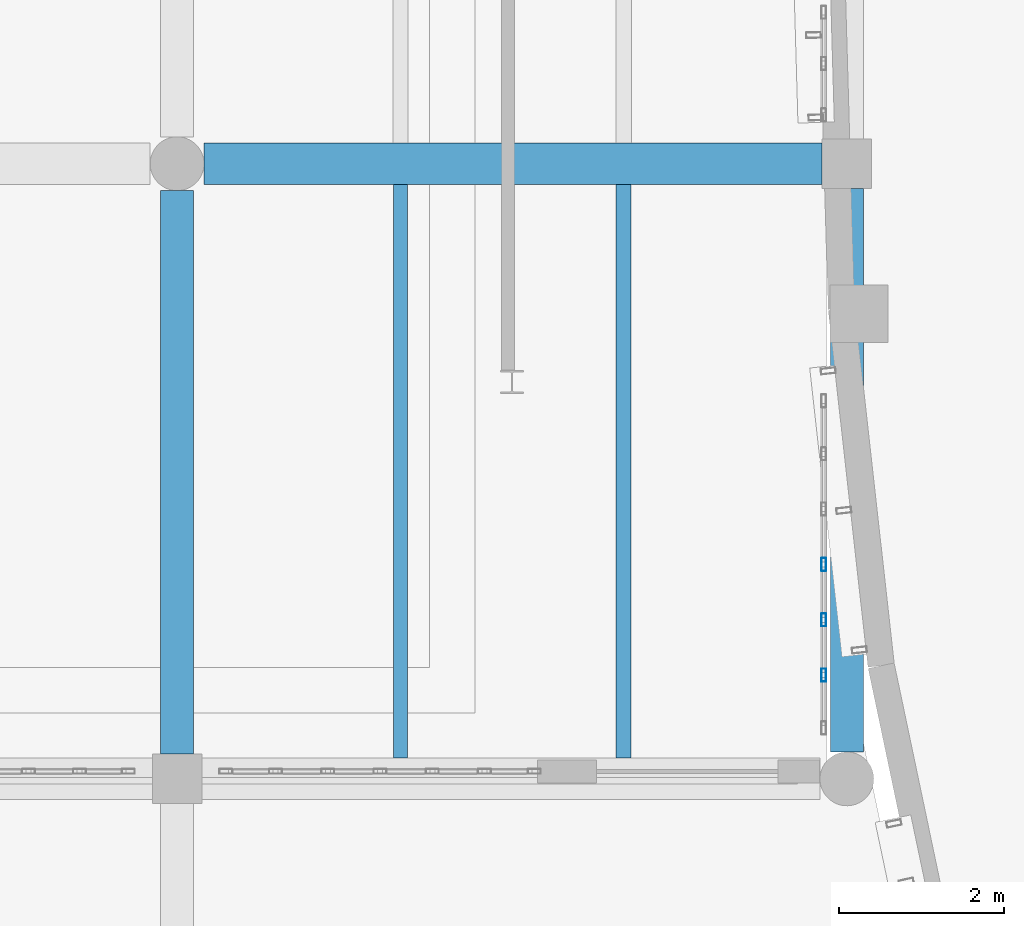
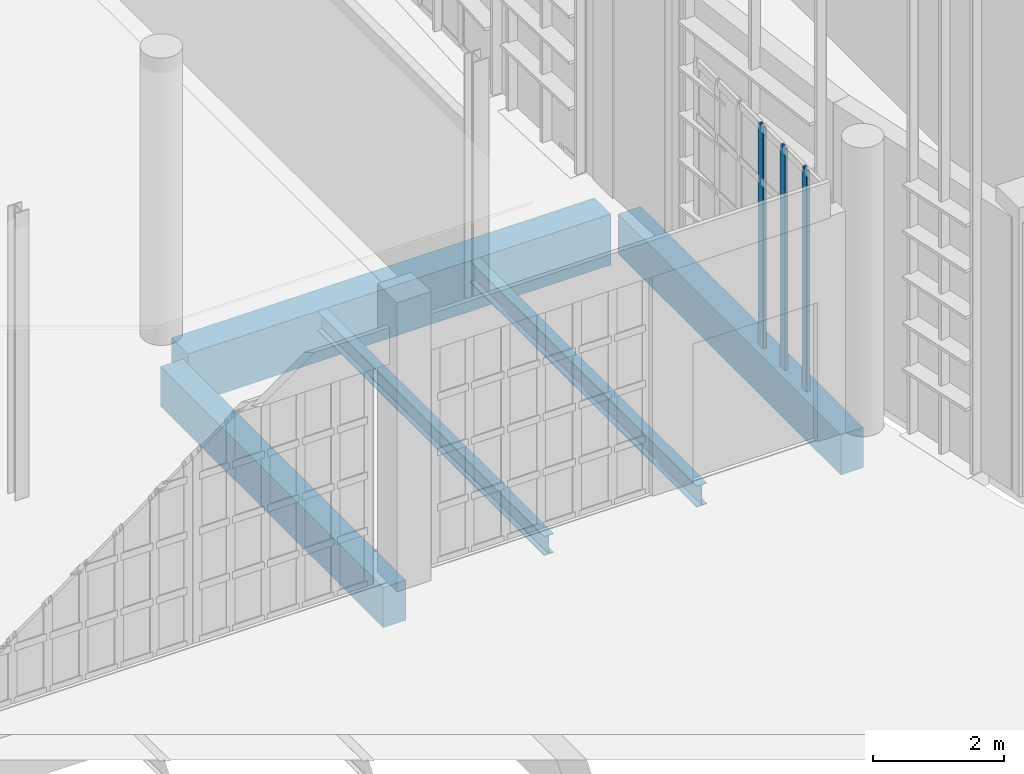
# One storey, part 224 of 372: 5 beams, 3 members, 1 element without a shape of its own.
"""IFC4 building model written with IfcOpenShell, lengths in metres."""

from ifc_helpers import new_model, si_unit, direction, frame, origin, origin_2d, place, context, subcontext, project, spatial, rectangle, hollow_rectangle, i_section, extrude, material, material_profile, profile_set, type_object, element, aggregate, save


model = new_model("IFC4")

# Units and contexts
model_context = context("Model", 3, precision=1e-05, world=origin(), true_north=direction((0.0, 1.0)))
body_context = subcontext(model_context, "Body", "Model", "MODEL_VIEW")
ifc_project = project(units=[si_unit("LENGTHUNIT", "METRE"), si_unit("AREAUNIT", "SQUARE_METRE"), si_unit("VOLUMEUNIT", "CUBIC_METRE"), si_unit("PLANEANGLEUNIT", "RADIAN"), si_unit("MASSUNIT", "GRAM", prefix="KILO")], contexts=[model_context])

# Site, building, storey
site_placement = place(None, origin())
site = spatial("IfcSite", under=ifc_project, at=site_placement, CompositionType="ELEMENT")
building_placement = place(site_placement, origin())
building = spatial("IfcBuilding", under=site, at=building_placement, Name="Kaelora Sail Theatre", CompositionType="ELEMENT")
storey_placement = place(building_placement, origin())
storey = spatial("IfcBuildingStorey", under=building, at=storey_placement, Name="L00", CompositionType="ELEMENT", Elevation=0.0)

# Curtain wall, members
ifc_material_1 = material(Name="Anodised aluminium and solar-control low-E IGU", Category="aluminium")
curtain_wall_type = type_object("IfcCurtainWallType", Name="ARC-CW-CW-FOY2", PredefinedType="NOTDEFINED", material=ifc_material_1)
curtain_wall_placement = place(storey_placement, origin())
curtain_wall = element("IfcCurtainWall", 1, at=curtain_wall_placement, inside=storey, type_object=curtain_wall_type, Name="East Interstitial Foyer East Glazed Return L00-01", PredefinedType="NOTDEFINED")
ifc_material_2 = material(Name="Anodised aluminium 6063-T6", Category="aluminium")
ifc_material_profile_1 = material_profile(ifc_material_2, hollow_rectangle(XDim=0.06005859375, YDim=0.159912109375, WallThickness=0.00390625, InnerFilletRadius=0.00390625, OuterFilletRadius=0.008056640625, at=origin_2d()), Name="ALU-MULL 60x160x4")
ifc_profile_set_1 = profile_set([ifc_material_profile_1], Name="Anodised aluminium 6063-T6")
member_type = type_object("IfcMemberType", Name="ARC-MEM-ML-160", PredefinedType="MULLION", material=ifc_profile_set_1)
member_1_placement = place(storey_placement, frame((122.719970703125, 39.9541015625, 0.0), z_axis=(0.0, 0.0, 1.0), x_axis=(-1.0, 0.0, 0.0)))
member_1 = element("IfcMember", 2, at=member_1_placement, type_object=member_type, Name="CW-FOY2 mullion 2", PredefinedType="MULLION", context=body_context, shape_type="SweptSolid", body=[
    extrude(hollow_rectangle(XDim=0.06005859375, YDim=0.159912109375, WallThickness=0.00390625, InnerFilletRadius=0.00390625, OuterFilletRadius=0.008056640625, at=origin_2d()), origin(), (0.0, 0.0, 1.0), 4.136962890625),
])
member_2_placement = place(storey_placement, frame((122.719970703125, 40.623291015625, 0.0), z_axis=(0.0, 0.0, 1.0), x_axis=(-1.0, 0.0, 0.0)))
member_2 = element("IfcMember", 3, at=member_2_placement, type_object=member_type, Name="CW-FOY2 mullion 3", PredefinedType="MULLION", context=body_context, shape_type="SweptSolid", body=[
    extrude(hollow_rectangle(XDim=0.06005859375, YDim=0.159912109375, WallThickness=0.00390625, InnerFilletRadius=0.00390625, OuterFilletRadius=0.008056640625, at=origin_2d()), origin(), (0.0, 0.0, 1.0), 4.136962890625),
])
member_3_placement = place(storey_placement, frame((122.719970703125, 41.29248046875, 0.0), z_axis=(0.0, 0.0, 1.0), x_axis=(-1.0, 0.0, 0.0)))
member_3 = element("IfcMember", 4, at=member_3_placement, type_object=member_type, Name="CW-FOY2 mullion 4", PredefinedType="MULLION", context=body_context, shape_type="SweptSolid", body=[
    extrude(hollow_rectangle(XDim=0.06005859375, YDim=0.159912109375, WallThickness=0.00390625, InnerFilletRadius=0.00390625, OuterFilletRadius=0.008056640625, at=origin_2d()), origin(), (0.0, 0.0, 1.0), 4.136962890625),
])
aggregate(curtain_wall, [member_1, member_2, member_3])

# Beams
ifc_material_3 = material(Name="Concrete C40/50", Category="concrete")
ifc_material_profile_2 = material_profile(ifc_material_3, rectangle(XDim=0.39990234375, YDim=0.75, at=origin_2d()), Name="RC-BM 400x750")
ifc_profile_set_2 = profile_set([ifc_material_profile_2], Name="Concrete C40/50")
beam_type_1 = type_object("IfcBeamType", Name="STR-BM-BM-RC4075", PredefinedType="BEAM", material=ifc_profile_set_2)
beam_1_placement = place(storey_placement, frame((114.89990234375, 39.0, -0.695068359375), z_axis=(0.0, 1.0, 0.0), x_axis=(-1.0, 0.0, 0.0)))
element("IfcBeam", 5, at=beam_1_placement, inside=storey, type_object=beam_type_1, Name="Primary beam 15 F-G (L00)", PredefinedType="BEAM", context=body_context, shape_type="SweptSolid", body=[
    extrude(rectangle(XDim=0.39990234375, YDim=0.75, at=origin_2d()), origin(), (0.0, 0.0, 1.0), 6.81494140625),
])
beam_2_placement = place(storey_placement, frame((123.0, 39.02490234375, -0.695068359375), z_axis=(0.0, 1.0, 0.0), x_axis=(-1.0, 0.0, 0.0)))
element("IfcBeam", 6, at=beam_2_placement, inside=storey, type_object=beam_type_1, Name="Primary beam 16 F-G (L00)", PredefinedType="BEAM", context=body_context, shape_type="SweptSolid", body=[
    extrude(rectangle(XDim=0.39990234375, YDim=0.75, at=origin_2d()), origin(), (0.0, 0.0, 1.0), 6.815185546875),
])
ifc_material_4 = material(Name="Concrete C45/55", Category="concrete")
ifc_material_profile_3 = material_profile(ifc_material_4, rectangle(XDim=0.5, YDim=0.949951171875, at=origin_2d()), Name="RC-GRD 500x950")
ifc_profile_set_3 = profile_set([ifc_material_profile_3], Name="Concrete C45/55")
beam_type_2 = type_object("IfcBeamType", Name="STR-BM-GR-RC5095", PredefinedType="T_BEAM", material=ifc_profile_set_3)
beam_3_placement = place(storey_placement, frame((115.22509765625, 46.139892578125, -0.794921875), z_axis=(1.0, 0.0, 0.0), x_axis=(0.0, 1.0, 0.0)))
element("IfcBeam", 7, at=beam_3_placement, inside=storey, type_object=beam_type_2, Name="Primary beam G 15-16 (L00)", PredefinedType="T_BEAM", context=body_context, shape_type="SweptSolid", body=[
    extrude(rectangle(XDim=0.5, YDim=0.949951171875, at=origin_2d()), origin(), (0.0, 0.0, 1.0), 7.474853515625),
])
ifc_material_5 = material(Name="Steel S355", Category="steel")
ifc_material_profile_4 = material_profile(ifc_material_5, i_section(OverallWidth=0.169921875, OverallDepth=0.360107421875, WebThickness=0.008056640625, FlangeThickness=0.0126953125, FilletRadius=0.01806640625, at=origin_2d()), Name="IPE 360")
ifc_profile_set_4 = profile_set([ifc_material_profile_4], Name="Steel S355")
beam_type_3 = type_object("IfcBeamType", Name="STR-BM-JS-IPE360", PredefinedType="JOIST", material=ifc_profile_set_4)
beam_4_placement = place(storey_placement, frame((117.60009765625, 38.949951171875, -0.5), z_axis=(0.0, 1.0, 0.0), x_axis=(-1.0, 0.0, 0.0)))
element("IfcBeam", 8, at=beam_4_placement, inside=storey, type_object=beam_type_3, Name="Secondary floor joist 15/F-1 (L00)", PredefinedType="JOIST", context=body_context, shape_type="SweptSolid", body=[
    extrude(i_section(OverallWidth=0.169921875, OverallDepth=0.360107421875, WebThickness=0.008056640625, FlangeThickness=0.0126953125, FilletRadius=0.01806640625, at=origin_2d()), origin(), (0.0, 0.0, 1.0), 6.93994140625),
])
ifc_material_6 = material(Name="Steel S355", Category="steel")
ifc_material_profile_5 = material_profile(ifc_material_6, i_section(OverallWidth=0.179931640625, OverallDepth=0.39990234375, WebThickness=0.008544921875, FlangeThickness=0.013427734375, FilletRadius=0.02099609375, at=origin_2d()), Name="IPE 400")
ifc_profile_set_5 = profile_set([ifc_material_profile_5], Name="Steel S355")
beam_type_4 = type_object("IfcBeamType", Name="STR-BM-JS-IPE400", PredefinedType="JOIST", material=ifc_profile_set_5)
beam_5_placement = place(storey_placement, frame((120.300048828125, 38.949951171875, -0.52001953125), z_axis=(0.0, 1.0, 0.0), x_axis=(-1.0, 0.0, 0.0)))
element("IfcBeam", 9, at=beam_5_placement, inside=storey, type_object=beam_type_4, Name="Secondary floor joist 15/F-2 (L00)", PredefinedType="JOIST", context=body_context, shape_type="SweptSolid", body=[
    extrude(i_section(OverallWidth=0.179931640625, OverallDepth=0.39990234375, WebThickness=0.008544921875, FlangeThickness=0.013427734375, FilletRadius=0.02099609375, at=origin_2d()), origin(), (0.0, 0.0, 1.0), 6.93994140625),
])

save(model, "model.ifc")
